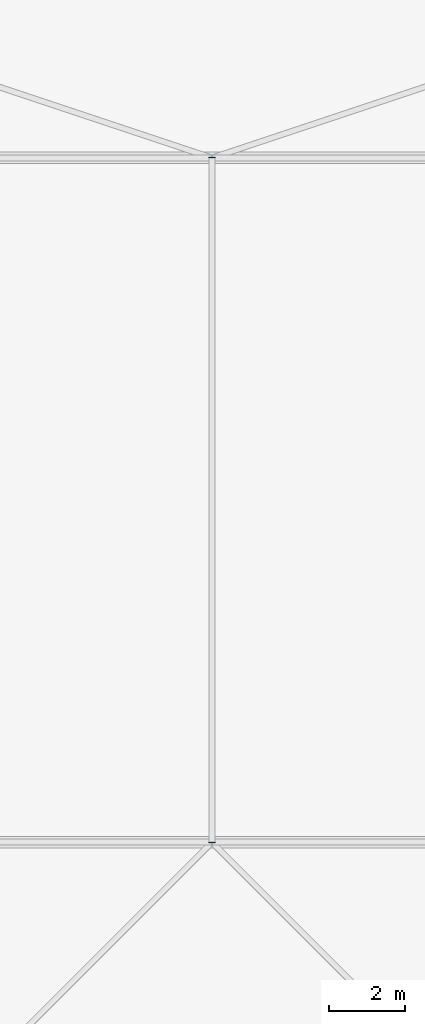
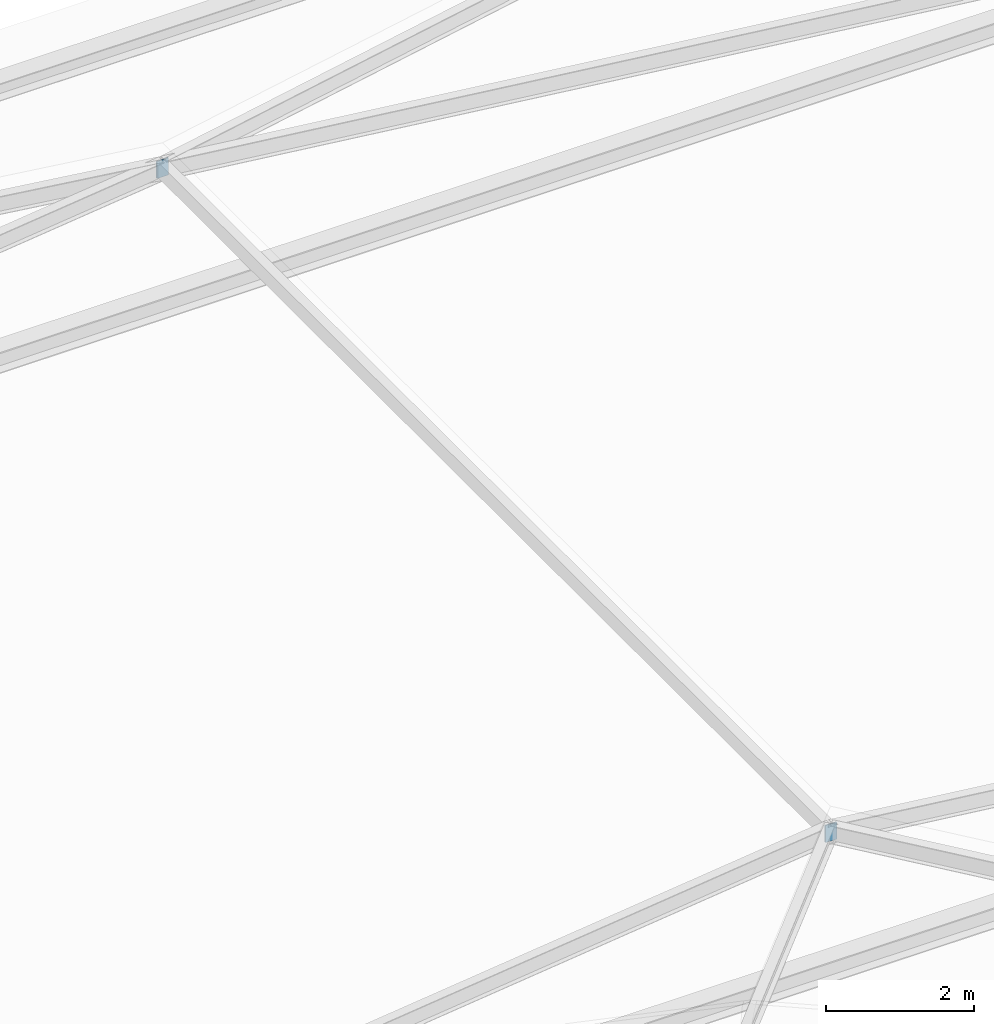
# One storey, part 199 of 204: 2 discrete accessories.
"""IFC4 building model written with IfcOpenShell, lengths in metres."""

from ifc_helpers import new_model, si_unit, direction, frame, origin, origin_2d, place, context, subcontext, project, spatial, rectangle, extrude, material, layer, layer_set, type_object, element, save


model = new_model("IFC4")

# Units and contexts
model_context = context("Model", 3, precision=1e-05, world=origin(), true_north=direction((0.0, 1.0)))
body_context = subcontext(model_context, "Body", "Model", "MODEL_VIEW")
ifc_project = project(units=[si_unit("LENGTHUNIT", "METRE"), si_unit("AREAUNIT", "SQUARE_METRE"), si_unit("VOLUMEUNIT", "CUBIC_METRE"), si_unit("PLANEANGLEUNIT", "RADIAN"), si_unit("MASSUNIT", "GRAM", prefix="KILO")], contexts=[model_context])

# Site, building, storey
site_placement = place(None, origin())
site = spatial("IfcSite", under=ifc_project, at=site_placement, CompositionType="ELEMENT")
building_placement = place(site_placement, origin())
building = spatial("IfcBuilding", under=site, at=building_placement, Name="Zilviju Railside Exhibition Hall", CompositionType="ELEMENT")
storey_placement = place(building_placement, frame((0.0, 0.0, 21.0)))
storey = spatial("IfcBuildingStorey", under=building, at=storey_placement, Name="RF", CompositionType="ELEMENT", Elevation=21.0)

# Discrete accessories
ifc_material = material(Name="Steel S355ML", Category="steel")
ifc_layer = layer(ifc_material, 0.02001953125)
ifc_layer_set = layer_set([ifc_layer], Name="Steel S355ML")
discrete_accessory_type = type_object("IfcDiscreteAccessoryType", Name="ACC-CAP-20", PredefinedType="BRACKET", material=ifc_layer_set)
for number, where, z_axis, x_axis, name in (
    (1, (18.0, 101.989990234375, 1.9599609375), (0.0, 0.0, 1.0), (1.0, 0.0, 0.0), "Hollow Section Welded End Seal Cap V5-RF5-S"),
    (2, (18.0, 120.010009765625, 1.9599609375), (0.0, 0.0, 1.0), (1.0, 0.0, 0.0), "Hollow Section Welded End Seal Cap V5-RF5-N"),
):
    element("IfcDiscreteAccessory", number, at=place(storey_placement, frame(where, z_axis=z_axis, x_axis=x_axis)), inside=storey, type_object=discrete_accessory_type, Name=name, PredefinedType="BRACKET", context=body_context, shape_type="SweptSolid", body=[
        extrude(rectangle(XDim=0.179931640625, YDim=0.02001953125, at=origin_2d()), origin(), (0.0, 0.0, 1.0), 0.280029296875),
    ])

save(model, "model.ifc")
